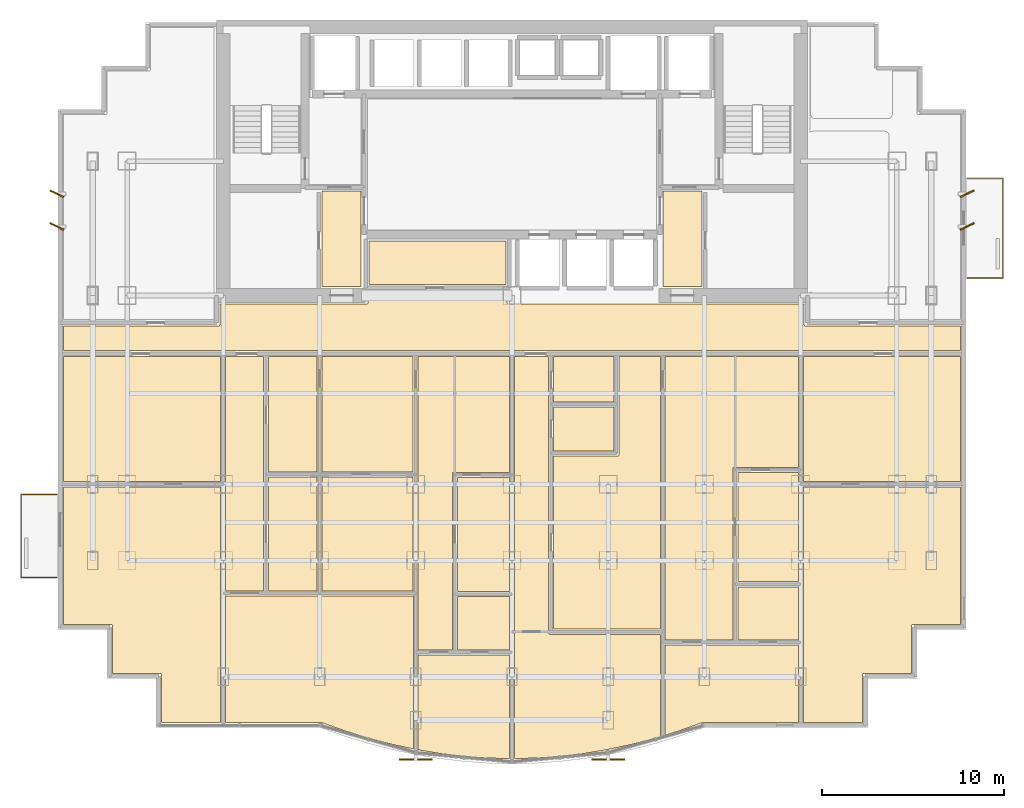
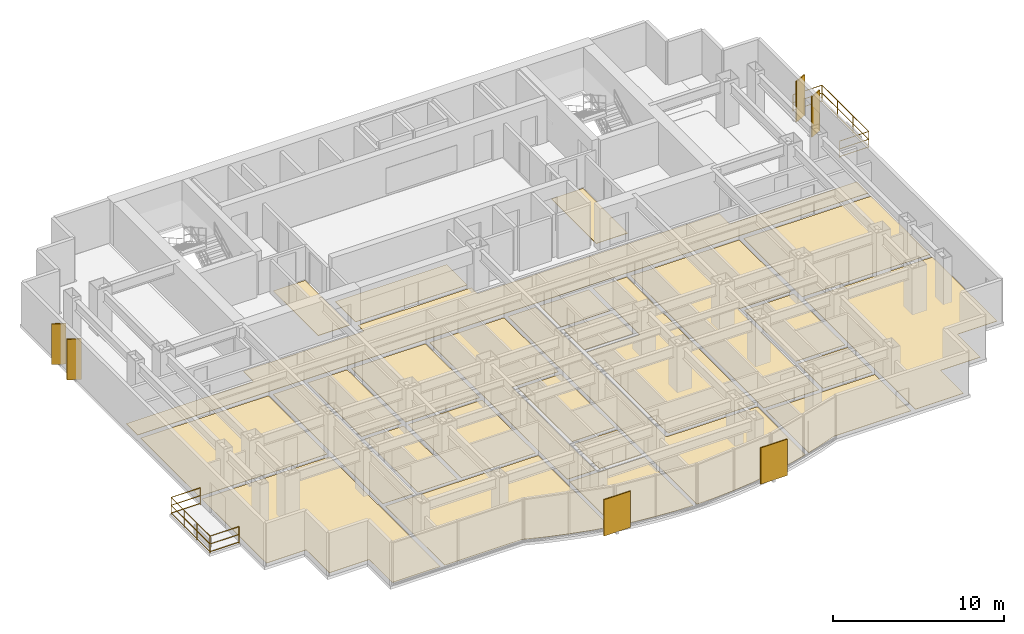
# One storey, part 9 of 10: 26 coverings, 6 shading devices, 2 railings.
"""IFC4 building model written with IfcOpenShell, lengths in metres."""

from ifc_helpers import new_model, si_unit, direction, frame, origin, origin_2d, place, context, subcontext, project, spatial, polyline, rectangle, circle, outline, extrude, source, transform, mapped, material, layer, layer_set, type_object, element, save


model = new_model("IFC4")

# Units and contexts
model_context = context("Model", 3, precision=1e-05, world=origin(), true_north=direction((0.0, 1.0)))
body_context = subcontext(model_context, "Body", "Model", "MODEL_VIEW")
ifc_project = project(units=[si_unit("LENGTHUNIT", "METRE"), si_unit("AREAUNIT", "SQUARE_METRE"), si_unit("VOLUMEUNIT", "CUBIC_METRE"), si_unit("PLANEANGLEUNIT", "RADIAN"), si_unit("MASSUNIT", "GRAM", prefix="KILO")], contexts=[model_context])

# Site, building, storey
site_placement = place(None, origin())
site = spatial("IfcSite", under=ifc_project, at=site_placement, CompositionType="ELEMENT")
building_placement = place(site_placement, origin())
building = spatial("IfcBuilding", under=site, at=building_placement, Name="Qianlan Lanfeng Residences", CompositionType="ELEMENT")
storey_placement = place(building_placement, frame((0.0, 0.0, 98.199951171875)))
storey = spatial("IfcBuildingStorey", under=building, at=storey_placement, Name="L26", CompositionType="ELEMENT", Elevation=98.199951171875)

# Coverings
ifc_material_1 = material(Name="Honed Taitung Granite Stone Flooring", Category="masonry")
ifc_layer_1 = layer(ifc_material_1, 0.030029296875)
ifc_layer_set_1 = layer_set([ifc_layer_1], Name="Honed Taitung Granite Stone Flooring")
covering_type_1 = type_object("IfcCoveringType", Name="FLR-STN-30", PredefinedType="FLOORING", material=ifc_layer_set_1)
covering_1_placement = place(storey_placement, origin())
element("IfcCovering", 1, at=covering_1_placement, inside=storey, type_object=covering_type_1, Name="L26 Residential Corridor Floor Finish", PredefinedType="FLOORING", context=body_context, shape_type="SweptSolid", body=[
    extrude(outline(polyline([(1.7900390625, 22.179931640625), (51.2099609375, 22.179931640625), (51.2099609375, 23.52001953125), (42.6650390625, 23.52001953125), (42.657958984375, 23.52001953125), (42.65087890625, 23.52099609375), (42.64501953125, 23.52294921875), (42.637939453125, 23.52490234375), (42.632080078125, 23.528076171875), (42.6259765625, 23.531982421875), (42.62109375, 23.535888671875), (42.615966796875, 23.541015625), (42.611083984375, 23.5458984375), (42.60693359375, 23.551025390625), (42.60302734375, 23.556884765625), (42.60009765625, 23.56298828125), (42.597900390625, 23.570068359375), (42.595947265625, 23.575927734375), (42.594970703125, 23.5830078125), (42.594970703125, 23.590087890625), (42.594970703125, 24.72509765625), (26.300048828125, 24.72509765625), (26.29296875, 24.72509765625), (26.285888671875, 24.72607421875), (26.280029296875, 24.72802734375), (26.27294921875, 24.72998046875), (26.26708984375, 24.73291015625), (26.260986328125, 24.737060546875), (26.256103515625, 24.740966796875), (26.2509765625, 24.74609375), (26.24609375, 24.7509765625), (26.241943359375, 24.756103515625), (26.238037109375, 24.761962890625), (26.235107421875, 24.76806640625), (26.23291015625, 24.77490234375), (26.23095703125, 24.781005859375), (26.22998046875, 24.7880859375), (26.22998046875, 24.794921875), (26.22998046875, 25.429931640625), (18.570068359375, 25.429931640625), (18.570068359375, 24.794921875), (18.570068359375, 24.7880859375), (18.569091796875, 24.781005859375), (18.56689453125, 24.77490234375), (18.56494140625, 24.76806640625), (18.56201171875, 24.761962890625), (18.55810546875, 24.756103515625), (18.553955078125, 24.7509765625), (18.549072265625, 24.74609375), (18.5439453125, 24.740966796875), (18.5390625, 24.737060546875), (18.532958984375, 24.73291015625), (18.527099609375, 24.72998046875), (18.52001953125, 24.72802734375), (18.513916015625, 24.72607421875), (18.507080078125, 24.72509765625), (18.5, 24.72509765625), (10.405029296875, 24.72509765625), (10.405029296875, 23.590087890625), (10.405029296875, 23.5830078125), (10.404052734375, 23.575927734375), (10.402099609375, 23.570068359375), (10.39990234375, 23.56298828125), (10.39697265625, 23.556884765625), (10.39306640625, 23.551025390625), (10.388916015625, 23.5458984375), (10.384033203125, 23.541015625), (10.37890625, 23.535888671875), (10.3740234375, 23.531982421875), (10.367919921875, 23.528076171875), (10.362060546875, 23.52490234375), (10.35498046875, 23.52294921875), (10.34912109375, 23.52099609375), (10.342041015625, 23.52001953125), (10.3349609375, 23.52001953125), (1.7900390625, 23.52001953125), (1.7900390625, 22.179931640625)])), origin(), (0.0, 0.0, 1.0), 0.030029296875),
])
covering_2_placement = place(storey_placement, origin())
element("IfcCovering", 2, at=covering_2_placement, inside=storey, type_object=covering_type_1, Name="L26 Lift Lobby Floor Finish", PredefinedType="FLOORING", context=body_context, shape_type="SweptSolid", body=[
    extrude(outline(polyline([(16.030029296875, 25.68505859375), (18.169921875, 25.68505859375), (18.169921875, 30.949951171875), (16.030029296875, 30.949951171875), (16.030029296875, 25.68505859375)])), origin(), (0.0, 0.0, 1.0), 0.030029296875),
])
covering_3_placement = place(storey_placement, origin())
element("IfcCovering", 3, at=covering_3_placement, inside=storey, type_object=covering_type_1, Name="L26 Lift Lobby Floor Finish", PredefinedType="FLOORING", context=body_context, shape_type="SweptSolid", body=[
    extrude(outline(polyline([(34.830078125, 25.68505859375), (36.969970703125, 25.68505859375), (36.969970703125, 30.949951171875), (34.830078125, 30.949951171875), (34.830078125, 25.68505859375)])), origin(), (0.0, 0.0, 1.0), 0.030029296875),
])
ifc_material_2 = material(Name="Slip-Resistant Porcelain Tile Flooring")
ifc_layer_2 = layer(ifc_material_2, 0.02001953125)
ifc_layer_set_2 = layer_set([ifc_layer_2], Name="Slip-Resistant Porcelain Tile Flooring")
covering_type_2 = type_object("IfcCoveringType", Name="FLR-TIL-20", PredefinedType="FLOORING", material=ifc_layer_set_2)
covering_4_placement = place(storey_placement, origin())
element("IfcCovering", 4, at=covering_4_placement, inside=storey, type_object=covering_type_2, Name="L26 Kitchen Floor Finish", PredefinedType="FLOORING", context=body_context, shape_type="SweptSolid", body=[
    extrude(outline(polyline([(13.090087890625, 8.929931640625), (15.760009765625, 8.929931640625), (15.760009765625, 15.205078125), (13.090087890625, 15.205078125), (13.090087890625, 8.929931640625)])), origin(), (0.0, 0.0, 1.0), 0.02001953125),
])
covering_5_placement = place(storey_placement, origin())
element("IfcCovering", 5, at=covering_5_placement, inside=storey, type_object=covering_type_2, Name="L26 Bathroom Floor Finish", PredefinedType="FLOORING", context=body_context, shape_type="SweptSolid", body=[
    extrude(outline(polyline([(13.090087890625, 15.485107421875), (15.760009765625, 15.485107421875), (15.760009765625, 21.830078125), (13.090087890625, 21.830078125), (13.090087890625, 15.485107421875)])), origin(), (0.0, 0.0, 1.0), 0.02001953125),
])
covering_6_placement = place(storey_placement, origin())
element("IfcCovering", 6, at=covering_6_placement, inside=storey, type_object=covering_type_2, Name="L26 En-Suite Bathroom Floor Finish", PredefinedType="FLOORING", context=body_context, shape_type="SweptSolid", body=[
    extrude(outline(polyline([(23.489990234375, 5.68701171875), (26.3701171875, 5.68701171875), (26.3701171875, 8.60693359375), (23.489990234375, 8.60693359375), (23.489990234375, 5.68701171875)])), origin(), (0.0, 0.0, 1.0), 0.02001953125),
])
covering_7_placement = place(storey_placement, origin())
element("IfcCovering", 7, at=covering_7_placement, inside=storey, type_object=covering_type_2, Name="L26 Kitchen Floor Finish", PredefinedType="FLOORING", context=body_context, shape_type="SweptSolid", body=[
    extrude(outline(polyline([(28.7900390625, 16.639892578125), (32.110107421875, 16.639892578125), (32.110107421875, 19.06005859375), (28.7900390625, 19.06005859375), (28.7900390625, 16.639892578125)])), origin(), (0.0, 0.0, 1.0), 0.02001953125),
])
covering_8_placement = place(storey_placement, origin())
element("IfcCovering", 8, at=covering_8_placement, inside=storey, type_object=covering_type_2, Name="L26 Bathroom Floor Finish", PredefinedType="FLOORING", context=body_context, shape_type="SweptSolid", body=[
    extrude(outline(polyline([(28.7900390625, 19.340087890625), (32.110107421875, 19.340087890625), (32.110107421875, 21.830078125), (28.7900390625, 21.830078125), (28.7900390625, 19.340087890625)])), origin(), (0.0, 0.0, 1.0), 0.02001953125),
])
covering_9_placement = place(storey_placement, origin())
element("IfcCovering", 9, at=covering_9_placement, inside=storey, type_object=covering_type_2, Name="L26 En-Suite Bathroom Floor Finish", PredefinedType="FLOORING", context=body_context, shape_type="SweptSolid", body=[
    extrude(outline(polyline([(38.93994140625, 6.23388671875), (42.27001953125, 6.23388671875), (42.27001953125, 9.154052734375), (38.93994140625, 9.154052734375), (38.93994140625, 6.23388671875)])), origin(), (0.0, 0.0, 1.0), 0.02001953125),
])
ifc_material_3 = material(Name="Engineered Smoked Oak Timber Flooring", Category="wood")
ifc_layer_3 = layer(ifc_material_3, 0.02197265625)
ifc_layer_set_3 = layer_set([ifc_layer_3], Name="Engineered Smoked Oak Timber Flooring")
covering_type_3 = type_object("IfcCoveringType", Name="FLR-TIM-22", PredefinedType="FLOORING", material=ifc_layer_set_3)
covering_10_placement = place(storey_placement, origin())
element("IfcCovering", 10, at=covering_10_placement, inside=storey, type_object=covering_type_3, Name="L26 Resident Reading Lounge Floor Finish", PredefinedType="FLOORING", context=body_context, shape_type="SweptSolid", body=[
    extrude(outline(polyline([(18.6298828125, 25.800048828125), (26.169921875, 25.800048828125), (26.169921875, 28.205078125), (18.6298828125, 28.205078125), (18.6298828125, 25.800048828125)])), origin(), (0.0, 0.0, 1.0), 0.02197265625),
])
covering_11_placement = place(storey_placement, origin())
element("IfcCovering", 11, at=covering_11_placement, inside=storey, type_object=covering_type_3, Name="L26 Living and Dining Room Floor Finish", PredefinedType="FLOORING", context=body_context, shape_type="SweptSolid", body=[
    extrude(outline(polyline([(10.72998046875, 8.64990234375), (10.72998046875, 1.68994140625), (15.9580078125, 1.68994140625), (15.966064453125, 1.68994140625), (15.97412109375, 1.68798828125), (15.98095703125, 1.68603515625), (17.3330078125, 1.2060546875), (18.64404296875, 0.803955078125), (19.9541015625, 0.462890625), (21.070068359375, 0.22607421875), (21.070068359375, 8.64990234375), (10.72998046875, 8.64990234375)])), origin(), (0.0, 0.0, 1.0), 0.02197265625),
])
covering_12_placement = place(storey_placement, origin())
element("IfcCovering", 12, at=covering_12_placement, inside=storey, type_object=covering_type_3, Name="L26 Family Sitting Room Floor Finish", PredefinedType="FLOORING", context=body_context, shape_type="SweptSolid", body=[
    extrude(outline(polyline([(10.72998046875, 8.929931640625), (12.81005859375, 8.929931640625), (12.81005859375, 21.830078125), (10.72998046875, 21.830078125), (10.72998046875, 8.929931640625)])), origin(), (0.0, 0.0, 1.0), 0.02197265625),
])
covering_13_placement = place(storey_placement, origin())
element("IfcCovering", 13, at=covering_13_placement, inside=storey, type_object=covering_type_3, Name="L26 Aerobics Studio Floor Finish", PredefinedType="FLOORING", context=body_context, shape_type="SweptSolid", body=[
    extrude(outline(polyline([(16.0400390625, 8.929931640625), (21.06005859375, 8.929931640625), (21.06005859375, 15.205078125), (16.0400390625, 15.205078125), (16.0400390625, 8.929931640625)])), origin(), (0.0, 0.0, 1.0), 0.02197265625),
])
covering_14_placement = place(storey_placement, origin())
element("IfcCovering", 14, at=covering_14_placement, inside=storey, type_object=covering_type_3, Name="L26 Club Reading Salon Floor Finish", PredefinedType="FLOORING", context=body_context, shape_type="SweptSolid", body=[
    extrude(outline(polyline([(16.0400390625, 15.485107421875), (21.06005859375, 15.485107421875), (21.06005859375, 21.830078125), (16.0400390625, 21.830078125), (16.0400390625, 15.485107421875)])), origin(), (0.0, 0.0, 1.0), 0.02197265625),
])
covering_15_placement = place(storey_placement, origin())
element("IfcCovering", 15, at=covering_15_placement, inside=storey, type_object=covering_type_3, Name="L26 Private Study Floor Finish", PredefinedType="FLOORING", context=body_context, shape_type="SweptSolid", body=[
    extrude(outline(polyline([(23.489990234375, 8.886962890625), (26.3701171875, 8.886962890625), (26.3701171875, 15.18310546875), (23.489990234375, 15.18310546875), (23.489990234375, 8.886962890625)])), origin(), (0.0, 0.0, 1.0), 0.02197265625),
])
covering_16_placement = place(storey_placement, origin())
element("IfcCovering", 16, at=covering_16_placement, inside=storey, type_object=covering_type_3, Name="L26 Villa Family Sitting Room Floor Finish", PredefinedType="FLOORING", context=body_context, shape_type="SweptSolid", body=[
    extrude(outline(polyline([(21.330078125, 5.68701171875), (23.2099609375, 5.68701171875), (23.2099609375, 15.39306640625), (23.2099609375, 15.39990234375), (23.2109375, 15.406982421875), (23.212890625, 15.4130859375), (23.215087890625, 15.419921875), (23.218017578125, 15.426025390625), (23.221923828125, 15.431884765625), (23.22607421875, 15.43701171875), (23.23095703125, 15.44189453125), (23.236083984375, 15.447021484375), (23.240966796875, 15.450927734375), (23.2470703125, 15.455078125), (23.2529296875, 15.4580078125), (23.260009765625, 15.4599609375), (23.26611328125, 15.4619140625), (23.27294921875, 15.462890625), (23.280029296875, 15.462890625), (26.3701171875, 15.462890625), (26.3701171875, 21.830078125), (21.330078125, 21.830078125), (21.330078125, 5.68701171875)])), origin(), (0.0, 0.0, 1.0), 0.02197265625),
])
covering_17_placement = place(storey_placement, origin())
element("IfcCovering", 17, at=covering_17_placement, inside=storey, type_object=covering_type_3, Name="L26 Master Bedroom Floor Finish", PredefinedType="FLOORING", context=body_context, shape_type="SweptSolid", body=[
    extrude(outline(polyline([(21.330078125, 5.406982421875), (21.330078125, 0.174072265625), (22.572998046875, -0.031982421875), (23.882080078125, -0.18603515625), (25.19091796875, -0.279052734375), (26.3701171875, -0.306884765625), (26.3701171875, 5.406982421875), (21.330078125, 5.406982421875)])), origin(), (0.0, 0.0, 1.0), 0.02197265625),
])
covering_18_placement = place(storey_placement, origin())
element("IfcCovering", 18, at=covering_18_placement, inside=storey, type_object=covering_type_3, Name="L26 Living and Dining Room Floor Finish", PredefinedType="FLOORING", context=body_context, shape_type="SweptSolid", body=[
    extrude(outline(polyline([(34.669921875, 0.89990234375), (34.669921875, 6.541015625), (28.580078125, 6.541015625), (28.572998046875, 6.541015625), (28.56591796875, 6.5419921875), (28.56005859375, 6.5439453125), (28.552978515625, 6.5458984375), (28.547119140625, 6.549072265625), (28.541015625, 6.552978515625), (28.535888671875, 6.556884765625), (28.531005859375, 6.56201171875), (28.52587890625, 6.56689453125), (28.52197265625, 6.572021484375), (28.51806640625, 6.577880859375), (28.514892578125, 6.583984375), (28.512939453125, 6.591064453125), (28.510986328125, 6.596923828125), (28.510009765625, 6.60400390625), (28.510009765625, 6.611083984375), (28.510009765625, 21.830078125), (26.6298828125, 21.830078125), (26.6298828125, -0.306884765625), (27.80810546875, -0.279052734375), (29.117919921875, -0.18603515625), (30.426025390625, -0.031982421875), (31.736083984375, 0.18505859375), (33.044921875, 0.462890625), (34.35595703125, 0.803955078125), (34.669921875, 0.89990234375)])), origin(), (0.0, 0.0, 1.0), 0.02197265625),
])
covering_19_placement = place(storey_placement, origin())
element("IfcCovering", 19, at=covering_19_placement, inside=storey, type_object=covering_type_3, Name="L26 Villa Family Sitting Room Floor Finish", PredefinedType="FLOORING", context=body_context, shape_type="SweptSolid", body=[
    extrude(outline(polyline([(28.7900390625, 6.821044921875), (34.669921875, 6.821044921875), (34.669921875, 21.830078125), (32.389892578125, 21.830078125), (32.389892578125, 16.429931640625), (32.389892578125, 16.423095703125), (32.388916015625, 16.416015625), (32.386962890625, 16.409912109375), (32.385009765625, 16.403076171875), (32.382080078125, 16.39697265625), (32.3779296875, 16.39111328125), (32.3740234375, 16.385986328125), (32.368896484375, 16.381103515625), (32.364013671875, 16.3759765625), (32.35888671875, 16.3720703125), (32.35302734375, 16.367919921875), (32.346923828125, 16.364990234375), (32.340087890625, 16.363037109375), (32.333984375, 16.361083984375), (32.326904296875, 16.360107421875), (32.320068359375, 16.360107421875), (28.7900390625, 16.360107421875), (28.7900390625, 6.821044921875)])), origin(), (0.0, 0.0, 1.0), 0.02197265625),
])
covering_20_placement = place(storey_placement, origin())
element("IfcCovering", 20, at=covering_20_placement, inside=storey, type_object=covering_type_3, Name="L26 Private Study Floor Finish", PredefinedType="FLOORING", context=body_context, shape_type="SweptSolid", body=[
    extrude(outline(polyline([(38.93994140625, 9.43408203125), (42.27001953125, 9.43408203125), (42.27001953125, 15.45703125), (38.93994140625, 15.45703125), (38.93994140625, 9.43408203125)])), origin(), (0.0, 0.0, 1.0), 0.02197265625),
])
covering_21_placement = place(storey_placement, origin())
element("IfcCovering", 21, at=covering_21_placement, inside=storey, type_object=covering_type_3, Name="L26 Villa Family Sitting Room Floor Finish", PredefinedType="FLOORING", context=body_context, shape_type="SweptSolid", body=[
    extrude(outline(polyline([(34.929931640625, 6.23388671875), (38.659912109375, 6.23388671875), (38.659912109375, 15.6669921875), (38.659912109375, 15.674072265625), (38.660888671875, 15.680908203125), (38.6630859375, 15.68701171875), (38.6650390625, 15.694091796875), (38.66796875, 15.699951171875), (38.672119140625, 15.7060546875), (38.676025390625, 15.7109375), (38.680908203125, 15.716064453125), (38.68603515625, 15.720947265625), (38.69091796875, 15.72509765625), (38.697021484375, 15.72900390625), (38.702880859375, 15.73193359375), (38.7099609375, 15.73388671875), (38.716064453125, 15.736083984375), (38.722900390625, 15.737060546875), (38.72998046875, 15.737060546875), (42.27001953125, 15.737060546875), (42.27001953125, 21.830078125), (34.929931640625, 21.830078125), (34.929931640625, 6.23388671875)])), origin(), (0.0, 0.0, 1.0), 0.02197265625),
])
covering_22_placement = place(storey_placement, origin())
element("IfcCovering", 22, at=covering_22_placement, inside=storey, type_object=covering_type_3, Name="L26 Master Bedroom Floor Finish", PredefinedType="FLOORING", context=body_context, shape_type="SweptSolid", body=[
    extrude(outline(polyline([(34.929931640625, 5.9541015625), (34.929931640625, 0.97998046875), (35.6669921875, 1.2060546875), (37.01904296875, 1.68603515625), (37.02587890625, 1.68798828125), (37.033935546875, 1.68994140625), (37.0419921875, 1.68994140625), (42.27001953125, 1.68994140625), (42.27001953125, 5.9541015625), (34.929931640625, 5.9541015625)])), origin(), (0.0, 0.0, 1.0), 0.02197265625),
])
covering_23_placement = place(storey_placement, origin())
element("IfcCovering", 23, at=covering_23_placement, inside=storey, type_object=covering_type_3, Name="L26 Sunroom Floor Finish", PredefinedType="FLOORING", context=body_context, shape_type="SweptSolid", body=[
    extrude(outline(polyline([(10.43994140625, 14.64990234375), (1.7900390625, 14.64990234375), (1.7900390625, 7.090087890625), (4.419921875, 7.090087890625), (4.427001953125, 7.090087890625), (4.43408203125, 7.089111328125), (4.43994140625, 7.0869140625), (4.447021484375, 7.0849609375), (4.452880859375, 7.08203125), (4.458984375, 7.077880859375), (4.464111328125, 7.073974609375), (4.468994140625, 7.069091796875), (4.47412109375, 7.06396484375), (4.47802734375, 7.05908203125), (4.48193359375, 7.052978515625), (4.485107421875, 7.047119140625), (4.487060546875, 7.0400390625), (4.489013671875, 7.033935546875), (4.489990234375, 7.027099609375), (4.489990234375, 7.02001953125), (4.489990234375, 4.389892578125), (7.1201171875, 4.389892578125), (7.126953125, 4.389892578125), (7.134033203125, 4.388916015625), (7.139892578125, 4.386962890625), (7.14697265625, 4.385009765625), (7.153076171875, 4.382080078125), (7.158935546875, 4.3779296875), (7.1640625, 4.3740234375), (7.1689453125, 4.368896484375), (7.174072265625, 4.364013671875), (7.177978515625, 4.35888671875), (7.181884765625, 4.35302734375), (7.18505859375, 4.346923828125), (7.18701171875, 4.340087890625), (7.18896484375, 4.333984375), (7.18994140625, 4.326904296875), (7.18994140625, 4.320068359375), (7.18994140625, 1.68994140625), (10.43994140625, 1.68994140625), (10.43994140625, 14.64990234375)])), origin(), (0.0, 0.0, 1.0), 0.02197265625),
])
covering_24_placement = place(storey_placement, origin())
element("IfcCovering", 24, at=covering_24_placement, inside=storey, type_object=covering_type_3, Name="L26 Family Sitting Room Floor Finish", PredefinedType="FLOORING", context=body_context, shape_type="SweptSolid", body=[
    extrude(outline(polyline([(10.43994140625, 21.830078125), (1.7900390625, 21.830078125), (1.7900390625, 14.949951171875), (10.43994140625, 14.949951171875), (10.43994140625, 21.830078125)])), origin(), (0.0, 0.0, 1.0), 0.02197265625),
])
covering_25_placement = place(storey_placement, origin())
element("IfcCovering", 25, at=covering_25_placement, inside=storey, type_object=covering_type_3, Name="L26 Sunroom Floor Finish", PredefinedType="FLOORING", context=body_context, shape_type="SweptSolid", body=[
    extrude(outline(polyline([(51.2099609375, 14.64990234375), (42.56005859375, 14.64990234375), (42.56005859375, 1.68994140625), (45.81005859375, 1.68994140625), (45.81005859375, 4.320068359375), (45.81005859375, 4.326904296875), (45.81103515625, 4.333984375), (45.81298828125, 4.340087890625), (45.81494140625, 4.346923828125), (45.818115234375, 4.35302734375), (45.822021484375, 4.35888671875), (45.825927734375, 4.364013671875), (45.8310546875, 4.368896484375), (45.8359375, 4.3740234375), (45.841064453125, 4.3779296875), (45.846923828125, 4.382080078125), (45.85302734375, 4.385009765625), (45.860107421875, 4.386962890625), (45.865966796875, 4.388916015625), (45.873046875, 4.389892578125), (45.8798828125, 4.389892578125), (48.510009765625, 4.389892578125), (48.510009765625, 7.02001953125), (48.510009765625, 7.027099609375), (48.510986328125, 7.033935546875), (48.512939453125, 7.0400390625), (48.514892578125, 7.047119140625), (48.51806640625, 7.052978515625), (48.52197265625, 7.05908203125), (48.52587890625, 7.06396484375), (48.531005859375, 7.069091796875), (48.535888671875, 7.073974609375), (48.541015625, 7.077880859375), (48.547119140625, 7.08203125), (48.552978515625, 7.0849609375), (48.56005859375, 7.0869140625), (48.56591796875, 7.089111328125), (48.572998046875, 7.090087890625), (48.580078125, 7.090087890625), (51.2099609375, 7.090087890625), (51.2099609375, 14.64990234375)])), origin(), (0.0, 0.0, 1.0), 0.02197265625),
])
covering_26_placement = place(storey_placement, origin())
element("IfcCovering", 26, at=covering_26_placement, inside=storey, type_object=covering_type_3, Name="L26 Private Study Floor Finish", PredefinedType="FLOORING", context=body_context, shape_type="SweptSolid", body=[
    extrude(outline(polyline([(51.2099609375, 21.830078125), (42.56005859375, 21.830078125), (42.56005859375, 14.949951171875), (51.2099609375, 14.949951171875), (51.2099609375, 21.830078125)])), origin(), (0.0, 0.0, 1.0), 0.02197265625),
])

# Railings
ifc_material_4 = material(Name="Anodised Bronze Aluminium and Laminated Glass Guard Balustrade", Category="aluminium")
railing_type = type_object("IfcRailingType", Name="GR-EXT-1220", PredefinedType="BALUSTRADE", material=ifc_material_4)
railing_1_placement = place(storey_placement, frame((1.429931640625, 9.669921875, 0.0)))
element("IfcRailing", 27, at=railing_1_placement, inside=storey, type_object=railing_type, Name="L26 Terrace Safety Guard GR-L26-WB-S", PredefinedType="BALUSTRADE", context=body_context, shape_type="SweptSolid", body=[
    extrude(circle(Radius=0.02490234375, at=origin_2d()), frame((0.0, 0.0, 0.0849609375), z_axis=(-1.0, 0.0, 0.0), x_axis=(0.0, -1.0, 0.0)), (0.0, 0.0, 1.0), 1.9599609375),
    extrude(circle(Radius=0.02490234375, at=origin_2d()), frame((0.0, 0.0, 0.63427734375), z_axis=(-1.0, 0.0, 0.0), x_axis=(0.0, -1.0, 0.0)), (0.0, 0.0, 1.0), 1.9599609375),
    extrude(circle(Radius=0.02490234375, at=origin_2d()), frame((0.0, 0.0, 1.19482421875), z_axis=(-1.0, 0.0, 0.0), x_axis=(0.0, -1.0, 0.0)), (0.0, 0.0, 1.0), 1.9599609375),
    extrude(circle(Radius=0.02490234375, at=origin_2d()), frame((-1.9599609375, 0.0, 0.0849609375), z_axis=(0.0, 1.0, 0.0), x_axis=(-1.0, 0.0, 0.0)), (0.0, 0.0, 1.0), 4.56005859375),
    extrude(circle(Radius=0.02490234375, at=origin_2d()), frame((-1.9599609375, 0.0, 0.63427734375), z_axis=(0.0, 1.0, 0.0), x_axis=(-1.0, 0.0, 0.0)), (0.0, 0.0, 1.0), 4.56005859375),
    extrude(circle(Radius=0.02490234375, at=origin_2d()), frame((-1.9599609375, 0.0, 1.19482421875), z_axis=(0.0, 1.0, 0.0), x_axis=(-1.0, 0.0, 0.0)), (0.0, 0.0, 1.0), 4.56005859375),
    extrude(circle(Radius=0.02490234375, at=origin_2d()), frame((-1.9599609375, 4.56005859375, 0.0849609375), z_axis=(1.0, 0.0, 0.0), x_axis=(0.0, 1.0, 0.0)), (0.0, 0.0, 1.0), 1.9599609375),
    extrude(circle(Radius=0.02490234375, at=origin_2d()), frame((-1.9599609375, 4.56005859375, 0.63427734375), z_axis=(1.0, 0.0, 0.0), x_axis=(0.0, 1.0, 0.0)), (0.0, 0.0, 1.0), 1.9599609375),
    extrude(circle(Radius=0.02490234375, at=origin_2d()), frame((-1.9599609375, 4.56005859375, 1.19482421875), z_axis=(1.0, 0.0, 0.0), x_axis=(0.0, 1.0, 0.0)), (0.0, 0.0, 1.0), 1.9599609375),
    extrude(circle(Radius=0.02099609375, at=origin_2d()), origin(), (0.0, 0.0, 1.0), 1.169921875),
    extrude(circle(Radius=0.02099609375, at=origin_2d()), frame((-1.9599609375, 0.0, 0.0)), (0.0, 0.0, 1.0), 1.169921875),
    extrude(circle(Radius=0.02099609375, at=origin_2d()), frame((-1.9599609375, 1.52001953125, 0.0)), (0.0, 0.0, 1.0), 1.169921875),
    extrude(circle(Radius=0.02099609375, at=origin_2d()), frame((-1.9599609375, 3.0400390625, 0.0)), (0.0, 0.0, 1.0), 1.169921875),
    extrude(circle(Radius=0.02099609375, at=origin_2d()), frame((-1.9599609375, 4.56005859375, 0.0)), (0.0, 0.0, 1.0), 1.169921875),
    extrude(circle(Radius=0.02099609375, at=origin_2d()), frame((0.0, 4.56005859375, 0.0)), (0.0, 0.0, 1.0), 1.169921875),
])
railing_2_placement = place(storey_placement, frame((51.570068359375, 31.6298828125, 0.0)))
element("IfcRailing", 28, at=railing_2_placement, inside=storey, type_object=railing_type, Name="L26 Terrace Safety Guard GR-L26-EB-N", PredefinedType="BALUSTRADE", context=body_context, shape_type="SweptSolid", body=[
    extrude(circle(Radius=0.02490234375, at=origin_2d()), frame((0.0, 0.0, 0.0849609375), z_axis=(1.0, 0.0, 0.0), x_axis=(0.0, 1.0, 0.0)), (0.0, 0.0, 1.0), 1.9599609375),
    extrude(circle(Radius=0.02490234375, at=origin_2d()), frame((0.0, 0.0, 0.63427734375), z_axis=(1.0, 0.0, 0.0), x_axis=(0.0, 1.0, 0.0)), (0.0, 0.0, 1.0), 1.9599609375),
    extrude(circle(Radius=0.02490234375, at=origin_2d()), frame((0.0, 0.0, 1.19482421875), z_axis=(1.0, 0.0, 0.0), x_axis=(0.0, 1.0, 0.0)), (0.0, 0.0, 1.0), 1.9599609375),
    extrude(circle(Radius=0.02490234375, at=origin_2d()), frame((1.9599609375, 0.0, 0.0849609375), z_axis=(0.0, -1.0, 0.0), x_axis=(1.0, 0.0, 0.0)), (0.0, 0.0, 1.0), 5.4599609375),
    extrude(circle(Radius=0.02490234375, at=origin_2d()), frame((1.9599609375, 0.0, 0.63427734375), z_axis=(0.0, -1.0, 0.0), x_axis=(1.0, 0.0, 0.0)), (0.0, 0.0, 1.0), 5.4599609375),
    extrude(circle(Radius=0.02490234375, at=origin_2d()), frame((1.9599609375, 0.0, 1.19482421875), z_axis=(0.0, -1.0, 0.0), x_axis=(1.0, 0.0, 0.0)), (0.0, 0.0, 1.0), 5.4599609375),
    extrude(circle(Radius=0.02490234375, at=origin_2d()), frame((1.9599609375, -5.4599609375, 0.0849609375), z_axis=(-1.0, 0.0, 0.0), x_axis=(0.0, -1.0, 0.0)), (0.0, 0.0, 1.0), 1.9599609375),
    extrude(circle(Radius=0.02490234375, at=origin_2d()), frame((1.9599609375, -5.4599609375, 0.63427734375), z_axis=(-1.0, 0.0, 0.0), x_axis=(0.0, -1.0, 0.0)), (0.0, 0.0, 1.0), 1.9599609375),
    extrude(circle(Radius=0.02490234375, at=origin_2d()), frame((1.9599609375, -5.4599609375, 1.19482421875), z_axis=(-1.0, 0.0, 0.0), x_axis=(0.0, -1.0, 0.0)), (0.0, 0.0, 1.0), 1.9599609375),
    extrude(circle(Radius=0.02099609375, at=origin_2d()), origin(), (0.0, 0.0, 1.0), 1.169921875),
    extrude(circle(Radius=0.02099609375, at=origin_2d()), frame((1.9599609375, 0.0, 0.0)), (0.0, 0.0, 1.0), 1.169921875),
    extrude(circle(Radius=0.02099609375, at=origin_2d()), frame((1.9599609375, -1.820068359375, 0.0)), (0.0, 0.0, 1.0), 1.169921875),
    extrude(circle(Radius=0.02099609375, at=origin_2d()), frame((1.9599609375, -3.639892578125, 0.0)), (0.0, 0.0, 1.0), 1.169921875),
    extrude(circle(Radius=0.02099609375, at=origin_2d()), frame((1.9599609375, -5.4599609375, 0.0)), (0.0, 0.0, 1.0), 1.169921875),
    extrude(circle(Radius=0.02099609375, at=origin_2d()), frame((0.0, -5.4599609375, 0.0)), (0.0, 0.0, 1.0), 1.169921875),
])

# Shading devices
ifc_material_5 = material(Name="Perforated Bronze Aluminium Solar Screen", Category="aluminium")
shading_device_type_1 = type_object("IfcShadingDeviceType", Name="SCR-BRZ-1800", PredefinedType="JALOUSIE", material=ifc_material_5)
shared_shape_1 = source(origin(), body_context, "Body", "SweptSolid", [
    extrude(rectangle(XDim=1.800048828125, YDim=0.06005859375, at=origin_2d()), origin(), (0.0, 0.0, 1.0), 2.60009765625),
])
for number, where, z_axis, x_axis, name in (
    (29, (21.199951171875, -0.360107421875, 0.0), (0.0, 0.0, 1.0), (1.0, 0.0, 0.0), "L26 Perforated Bronze Solar Screen 1"),
    (30, (31.800048828125, -0.360107421875, 0.0), (0.0, 0.0, 1.0), (1.0, 0.0, 0.0), "L26 Perforated Bronze Solar Screen 2"),
):
    element("IfcShadingDevice", number, at=place(storey_placement, frame(where, z_axis=z_axis, x_axis=x_axis)), inside=storey, type_object=shading_device_type_1, Name=name, PredefinedType="JALOUSIE", context=body_context, shape_type="MappedRepresentation", body=[
        mapped(shared_shape_1, transform((0.0, 0.0, 0.0), scale=1.0)),
    ])
ifc_material_6 = material(Name="Anodised Bronze Aluminium Solar Fin", Category="aluminium")
shading_device_type_2 = type_object("IfcShadingDeviceType", Name="FIN-BRZ-850", PredefinedType="SHUTTER", material=ifc_material_6)
shared_shape_2 = source(origin(), body_context, "Body", "SweptSolid", [
    extrude(rectangle(XDim=0.85009765625, YDim=0.080078125, at=origin_2d()), origin(), (0.0, 0.0, 1.0), 2.89990234375),
])
for number, where, z_axis, x_axis, name in (
    (31, (1.429931640625, 29.0, 0.0), (0.0, 0.0, 1.0), (0.898794046299, -0.438371146789, 0.0), "L26 Raked Bronze Solar Fin W1"),
    (32, (1.429931640625, 30.800048828125, 0.0), (0.0, 0.0, 1.0), (0.898794046299, -0.438371146789, 0.0), "L26 Raked Bronze Solar Fin W2"),
    (33, (51.570068359375, 29.0, 0.0), (0.0, 0.0, 1.0), (0.898794046299, 0.438371146789, 0.0), "L26 Raked Bronze Solar Fin E1"),
    (34, (51.570068359375, 30.800048828125, 0.0), (0.0, 0.0, 1.0), (0.898794046299, 0.438371146789, 0.0), "L26 Raked Bronze Solar Fin E2"),
):
    element("IfcShadingDevice", number, at=place(storey_placement, frame(where, z_axis=z_axis, x_axis=x_axis)), inside=storey, type_object=shading_device_type_2, Name=name, PredefinedType="SHUTTER", context=body_context, shape_type="MappedRepresentation", body=[
        mapped(shared_shape_2, transform((0.0, 0.0, 0.0), scale=1.0)),
    ])

save(model, "model.ifc")
